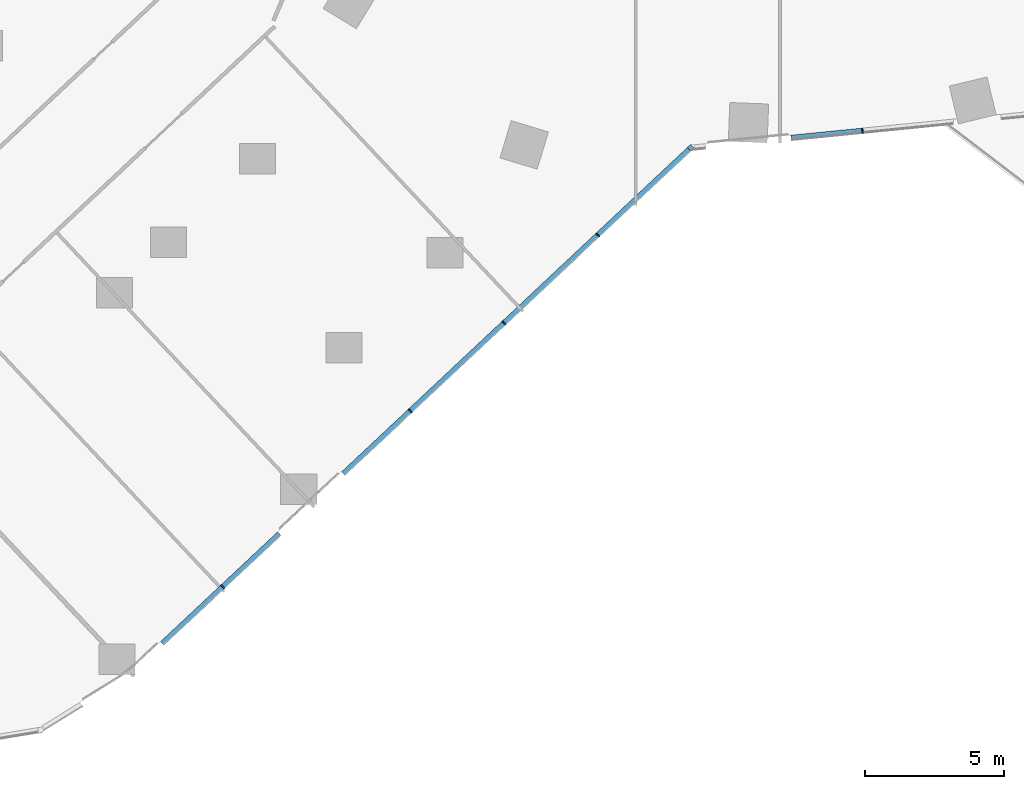
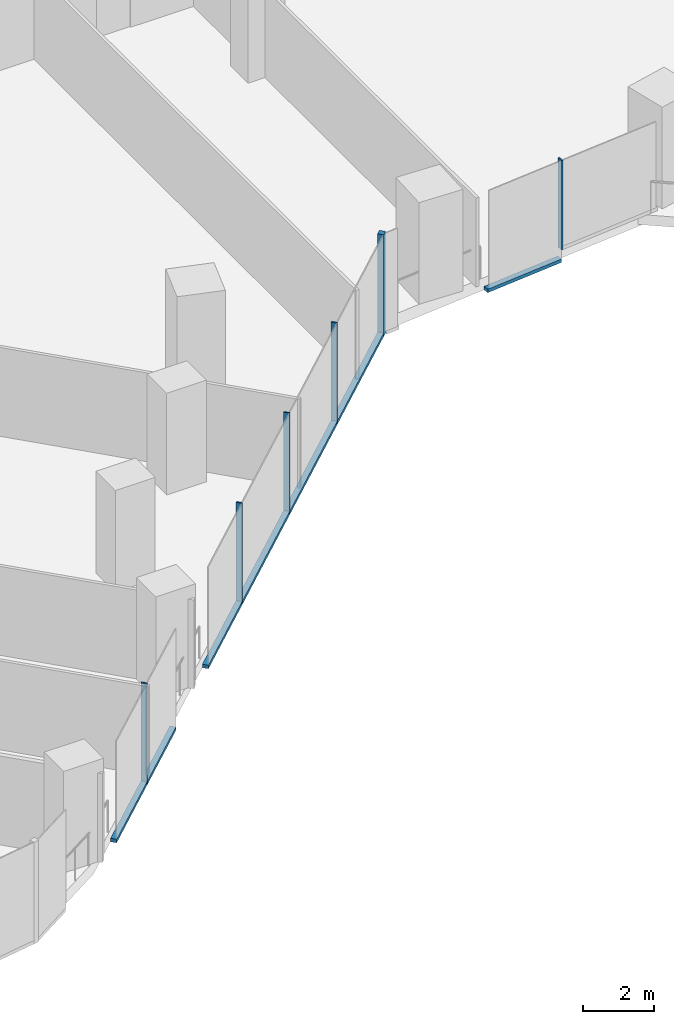
# One storey, part 4 of 34: 9 members, 2 elements without a shape of their own.
"""IFC4 building model written with IfcOpenShell, lengths in metres."""

from ifc_helpers import new_model, si_unit, direction, frame, origin, origin_2d, place, context, subcontext, project, spatial, rectangle, extrude, material, material_profile, profile_set, type_object, element, aggregate, save


model = new_model("IFC4")

# Units and contexts
model_context = context("Model", 3, precision=1e-05, world=origin(), true_north=direction((0.0, 1.0)))
body_context = subcontext(model_context, "Body", "Model", "MODEL_VIEW")
ifc_project = project(units=[si_unit("LENGTHUNIT", "METRE"), si_unit("AREAUNIT", "SQUARE_METRE"), si_unit("VOLUMEUNIT", "CUBIC_METRE"), si_unit("PLANEANGLEUNIT", "RADIAN"), si_unit("MASSUNIT", "GRAM", prefix="KILO")], contexts=[model_context])

# Site, building, storey
site_placement = place(None, origin())
site = spatial("IfcSite", under=ifc_project, at=site_placement, CompositionType="ELEMENT")
building_placement = place(site_placement, origin())
building = spatial("IfcBuilding", under=site, at=building_placement, Name="Orlundy Tower", CompositionType="ELEMENT")
storey_placement = place(building_placement, frame((0.0, 0.0, 37.300048828125)))
storey = spatial("IfcBuildingStorey", under=building, at=storey_placement, Name="L07", CompositionType="ELEMENT", Elevation=37.300048828125)

# Curtain wall, member
ifc_material_1 = material(Name="Aluminium bronze anodised", Category="aluminium")
curtain_wall_type = type_object("IfcCurtainWallType", Name="CW1 wall", PredefinedType="NOTDEFINED", material=ifc_material_1)
curtain_wall_1_placement = place(storey_placement, origin())
curtain_wall_1 = element("IfcCurtainWall", 1, at=curtain_wall_1_placement, inside=storey, type_object=curtain_wall_type, Name="CW1 run 018", PredefinedType="NOTDEFINED")
ifc_material_2 = material(Name="Aluminium bronze anodised", Category="aluminium")
ifc_material_profile_1 = material_profile(ifc_material_2, rectangle(XDim=0.179931640625, YDim=0.179931640625, at=origin_2d()), Name="CW1 corner post 180x180")
ifc_profile_set_1 = profile_set([ifc_material_profile_1], Name="Aluminium bronze anodised")
member_type_1 = type_object("IfcMemberType", Name="CW1 corner post 180x180", PredefinedType="MULLION", material=ifc_profile_set_1)
member_1_placement = place(storey_placement, frame((-3.210693359375, -30.556640625, -0.420166015625), z_axis=(0.0, 0.0, 1.0), x_axis=(0.684124281784, -0.729365455086, 0.0)))
member_1 = element("IfcMember", 2, at=member_1_placement, type_object=member_type_1, Name="CW1 mullion 51", PredefinedType="MULLION", context=body_context, shape_type="SweptSolid", body=[
    extrude(rectangle(XDim=0.179931640625, YDim=0.179931640625, at=origin_2d()), origin(), (0.0, 0.0, 1.0), 3.5),
])

curtain_wall_2_placement = place(storey_placement, origin())
curtain_wall_2 = element("IfcCurtainWall", 3, at=curtain_wall_2_placement, inside=storey, type_object=curtain_wall_type, Name="CW1 run 017", PredefinedType="NOTDEFINED")
ifc_material_3 = material(Name="Aluminium bronze anodised", Category="aluminium")
ifc_material_profile_2 = material_profile(ifc_material_3, rectangle(XDim=0.179931640625, YDim=0.050048828125, at=origin_2d()), Name="CW1 mullion 50x180")
ifc_profile_set_2 = profile_set([ifc_material_profile_2], Name="Aluminium bronze anodised")
member_type_2 = type_object("IfcMemberType", Name="CW1 mullion 50x180", PredefinedType="MULLION", material=ifc_profile_set_2)
member_2_placement = place(storey_placement, frame((2.971435546875, -29.943115234375, 0.0), z_axis=(0.0, 0.0, 1.0), x_axis=(0.098750373279, -0.995112236774, 0.0)))
member_2 = element("IfcMember", 4, at=member_2_placement, type_object=member_type_2, Name="CW1 mullion 50", PredefinedType="MULLION", context=body_context, shape_type="SweptSolid", body=[
    extrude(rectangle(XDim=0.179931640625, YDim=0.050048828125, at=origin_2d()), origin(), (0.0, 0.0, 1.0), 3.079833984375),
])

# Member
member_3_placement = place(storey_placement, frame((-6.56591796875, -33.70361328125, -0.420166015625), z_axis=(0.0, 0.0, 1.0), x_axis=(0.684124281784, -0.729365455086, 0.0)))
member_3 = element("IfcMember", 5, at=member_3_placement, type_object=member_type_2, Name="CW1 mullion 52", PredefinedType="MULLION", context=body_context, shape_type="SweptSolid", body=[
    extrude(rectangle(XDim=0.179931640625, YDim=0.050048828125, at=origin_2d()), origin(), (0.0, 0.0, 1.0), 3.5),
])

member_4_placement = place(storey_placement, frame((-9.943359375, -36.87158203125, -0.420166015625), z_axis=(0.0, 0.0, 1.0), x_axis=(0.684124281784, -0.729365455086, 0.0)))
member_4 = element("IfcMember", 6, at=member_4_placement, type_object=member_type_2, Name="CW1 mullion 53", PredefinedType="MULLION", context=body_context, shape_type="SweptSolid", body=[
    extrude(rectangle(XDim=0.179931640625, YDim=0.050048828125, at=origin_2d()), origin(), (0.0, 0.0, 1.0), 3.5),
])

member_5_placement = place(storey_placement, frame((-13.321044921875, -40.03955078125, -0.420166015625), z_axis=(0.0, 0.0, 1.0), x_axis=(0.684124281784, -0.729365455086, 0.0)))
member_5 = element("IfcMember", 7, at=member_5_placement, type_object=member_type_2, Name="CW1 mullion 54", PredefinedType="MULLION", context=body_context, shape_type="SweptSolid", body=[
    extrude(rectangle(XDim=0.179931640625, YDim=0.050048828125, at=origin_2d()), origin(), (0.0, 0.0, 1.0), 3.5),
])

member_6_placement = place(storey_placement, frame((-20.075927734375, -46.375732421875, -0.420166015625), z_axis=(0.0, 0.0, 1.0), x_axis=(0.684124281784, -0.729365455086, 0.0)))
member_6 = element("IfcMember", 8, at=member_6_placement, type_object=member_type_2, Name="CW1 mullion 56", PredefinedType="MULLION", context=body_context, shape_type="SweptSolid", body=[
    extrude(rectangle(XDim=0.179931640625, YDim=0.050048828125, at=origin_2d()), origin(), (0.0, 0.0, 1.0), 3.5),
])

ifc_material_4 = material(Name="Aluminium bronze anodised", Category="aluminium")
ifc_material_profile_3 = material_profile(ifc_material_4, rectangle(XDim=0.179931640625, YDim=0.1201171875, at=origin_2d()), Name="CW1 transom 180x120")
ifc_profile_set_3 = profile_set([ifc_material_profile_3], Name="Aluminium bronze anodised")
member_type_3 = type_object("IfcMemberType", Name="CW1 transom 180x120", PredefinedType="USERDEFINED", material=ifc_profile_set_3)
member_7_placement = place(storey_placement, frame((2.946533203125, -29.945556640625, -0.360107421875), z_axis=(-0.995114187571, -0.098730713023, 0.0), x_axis=(0.098730713023, -0.995114187571, 0.0)))
member_7 = element("IfcMember", 9, at=member_7_placement, type_object=member_type_3, Name="CW1 transom", ObjectType="TRANSOM", PredefinedType="USERDEFINED", context=body_context, shape_type="SweptSolid", body=[
    extrude(rectangle(XDim=0.179931640625, YDim=0.1201171875, at=origin_2d()), origin(), (0.0, 0.0, 1.0), 2.564208984375),
])

aggregate(curtain_wall_2, [member_2, member_7])

member_8_placement = place(storey_placement, frame((-3.2763671875, -30.6181640625, -0.360107421875), z_axis=(-0.729368658036, -0.684120867007, 0.0), x_axis=(0.684120867007, -0.729368658036, 0.0)))
member_8 = element("IfcMember", 10, at=member_8_placement, type_object=member_type_3, Name="CW1 transom", ObjectType="TRANSOM", PredefinedType="USERDEFINED", context=body_context, shape_type="SweptSolid", body=[
    extrude(rectangle(XDim=0.179931640625, YDim=0.1201171875, at=origin_2d()), origin(), (0.0, 0.0, 1.0), 17.0771484375),
])

member_9_placement = place(storey_placement, frame((-18.0390625, -44.465087890625, -0.360107421875), z_axis=(-0.72935268837, -0.684137892509, 0.0), x_axis=(0.684137892509, -0.72935268837, 0.0)))
member_9 = element("IfcMember", 11, at=member_9_placement, type_object=member_type_3, Name="CW1 transom", ObjectType="TRANSOM", PredefinedType="USERDEFINED", context=body_context, shape_type="SweptSolid", body=[
    extrude(rectangle(XDim=0.179931640625, YDim=0.1201171875, at=origin_2d()), origin(), (0.0, 0.0, 1.0), 5.777587890625),
])

aggregate(curtain_wall_1, [member_1, member_3, member_4, member_5, member_6, member_8, member_9])

save(model, "model.ifc")
